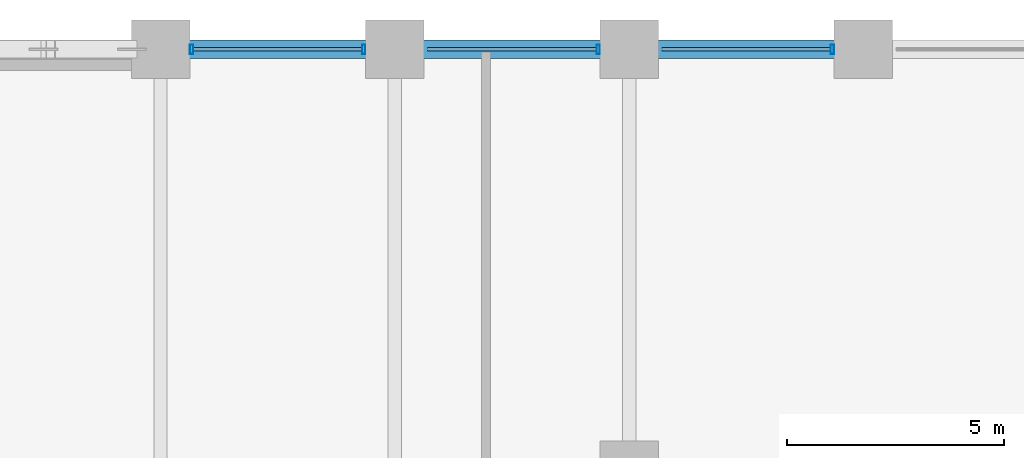
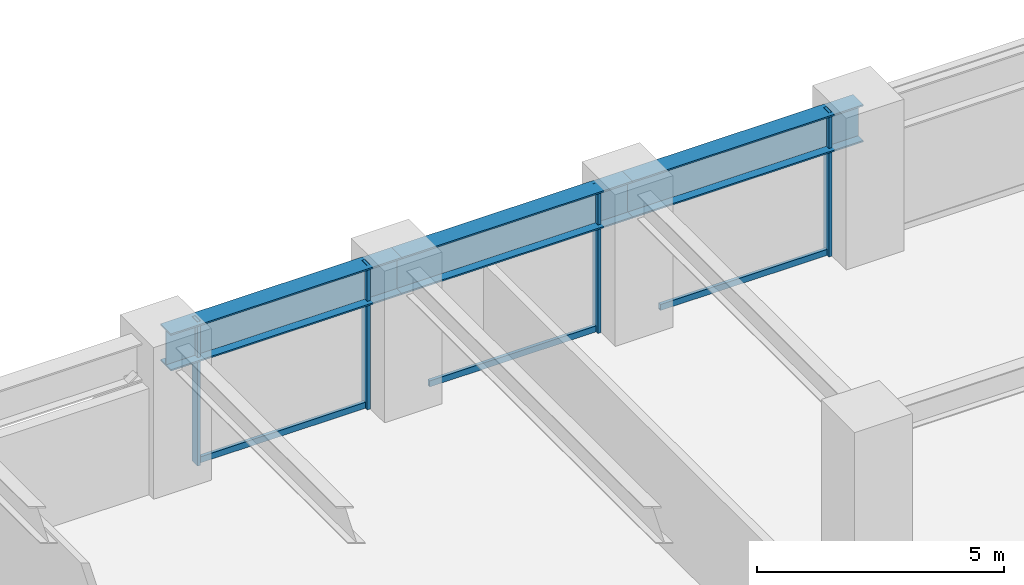
# One storey, part 15 of 25: 7 members, 3 beams, 1 element without a shape of its own.
"""IFC4 building model written with IfcOpenShell, lengths in metres."""

import ifcopenshell
import ifcopenshell.guid

model = None  # the IFC model being written
_history = None  # IfcOwnerHistory: only IFC2X3 demands one
_inside = {}  # id of a spatial element -> (the spatial element, [elements in it])
_under = {}  # id of a project, library or spatial element -> (it, [spatial elements below it])
_declared = {}  # id of a project -> (the project, [libraries it declares])
_typed = {}  # id of a type object -> (the type object, [elements of that type])
_made_of = {}  # id of a material, layer set ... -> (it, [elements and type objects made of it])


def new_model(schema):
    """Start an empty IFC model of exactly this schema.

    Asked for "IFC4X3", IfcOpenShell would pick the latest addendum, in which some entities
    have other attributes; the version numbers below select the first issue.
    IFC2X3 requires an IfcOwnerHistory on every rooted entity: one is made here for all.
    """
    global model, _history
    if schema == "IFC4X3":
        model = ifcopenshell.file(schema_version=(4, 3, 0, 0))
    else:
        model = ifcopenshell.file(schema=schema)
    _inside.clear()
    _under.clear()
    _declared.clear()
    _typed.clear()
    _made_of.clear()
    _history = None
    if model.schema == "IFC2X3":
        org = make("IfcOrganization", Name="unknown")
        user = make(
            "IfcPersonAndOrganization",
            ThePerson=make("IfcPerson", FamilyName="unknown"),
            TheOrganization=org,
        )
        app = make(
            "IfcApplication",
            ApplicationDeveloper=org,
            Version="unknown",
            ApplicationFullName="unknown",
            ApplicationIdentifier="unknown",
        )
        _history = make(
            "IfcOwnerHistory",
            OwningUser=user,
            OwningApplication=app,
            ChangeAction="ADDED",
            CreationDate=0,
        )
    return model


def make(cls, **values):
    """One entity of the class cls with the attributes given. An attribute that is None is left unset."""
    return model.create_entity(
        cls, **{name: value for name, value in values.items() if value is not None}
    )


def rooted(cls, **values):
    """An entity with a GlobalId (a new one), such as an element, a storey or a relation."""
    return make(cls, GlobalId=ifcopenshell.guid.new(), OwnerHistory=_history, **values)


def si_unit(unit_type, name, prefix=None):
    """IfcSIUnit, for example si_unit("LENGTHUNIT", "METRE", prefix="MILLI")."""
    return make("IfcSIUnit", UnitType=unit_type, Prefix=prefix, Name=name)


def assignment(units):
    """IfcUnitAssignment: the units of a project."""
    return None if units is None else make("IfcUnitAssignment", Units=units)


def point(xyz):
    """IfcCartesianPoint."""
    return None if xyz is None else make("IfcCartesianPoint", Coordinates=xyz)


def direction(xyz):
    """IfcDirection."""
    return None if xyz is None else make("IfcDirection", DirectionRatios=xyz)


def frame(location, z_axis=None, x_axis=None):
    """IfcAxis2Placement3D, a coordinate frame: its origin and axes. An axis left out is left unset."""
    return make(
        "IfcAxis2Placement3D",
        Location=point(location),
        Axis=direction(z_axis),
        RefDirection=direction(x_axis),
    )


def frame_2d(location, x_axis=None):
    """IfcAxis2Placement2D, a coordinate frame in the plane: its origin and x axis."""
    return make(
        "IfcAxis2Placement2D", Location=point(location), RefDirection=direction(x_axis)
    )


def origin():
    """The frame at (0, 0, 0) with its axes left unset."""
    return frame((0.0, 0.0, 0.0))


def origin_2d():
    """The frame at (0, 0) in the plane with its x axis left unset."""
    return frame_2d((0.0, 0.0))


def place(relative_to, where):
    """IfcLocalPlacement: puts the frame where relative to a parent placement (None: the world)."""
    return make(
        "IfcLocalPlacement", PlacementRelTo=relative_to, RelativePlacement=where
    )


def context(
    kind, dimensions, precision=None, world=None, true_north=None, identifier=None
):
    """IfcGeometricRepresentationContext, for example the 3D "Model" context."""
    return make(
        "IfcGeometricRepresentationContext",
        ContextIdentifier=identifier,
        ContextType=kind,
        CoordinateSpaceDimension=dimensions,
        Precision=precision,
        WorldCoordinateSystem=world,
        TrueNorth=true_north,
    )


def subcontext(parent, identifier, kind, view, scale=None):
    """IfcGeometricRepresentationSubContext, for example "Body" below "Model"."""
    return make(
        "IfcGeometricRepresentationSubContext",
        ContextIdentifier=identifier,
        ContextType=kind,
        ParentContext=parent,
        TargetScale=scale,
        TargetView=view,
    )


def project(units=None, contexts=None):
    """IfcProject with its units and contexts."""
    return rooted(
        "IfcProject",
        Name="project",
        RepresentationContexts=contexts,
        UnitsInContext=assignment(units),
    )


def spatial(cls, under=None, at=None, **own):
    """A site, building, storey or space (cls), placed at a placement, below another one or the project."""
    s = rooted(cls, ObjectPlacement=at, **own)
    if under is not None:
        _under.setdefault(under.id(), (under, []))[1].append(s)
    return s


def profile(cls, at=None, kind="AREA", **sizes):
    """A parametric profile (cls). Its sizes go by their IFC names, for example OverallWidth=200.0."""
    return make(cls, ProfileType=kind, Position=at, **sizes)


def hollow_rectangle(**sizes):
    """IfcRectangleHollowProfileDef."""
    return profile("IfcRectangleHollowProfileDef", **sizes)


def i_section(**sizes):
    """IfcIShapeProfileDef."""
    return profile("IfcIShapeProfileDef", **sizes)


def extrude(swept, where, along, depth):
    """IfcExtrudedAreaSolid: the profile swept, set in the frame where, extruded along a direction by depth."""
    return make(
        "IfcExtrudedAreaSolid",
        SweptArea=swept,
        Position=where,
        ExtrudedDirection=direction(along),
        Depth=depth,
    )


def shape(context_of_items, identifier, shape_type, items):
    """IfcShapeRepresentation: the items that make up one representation, for example the "Body"."""
    return make(
        "IfcShapeRepresentation",
        ContextOfItems=context_of_items,
        RepresentationIdentifier=identifier,
        RepresentationType=shape_type,
        Items=items,
    )


def material(Name=None, Category=None):
    """IfcMaterial."""
    return make("IfcMaterial", Name=Name, Category=Category)


def layer(
    of_material, thickness, ventilated=None, Name=None, Category=None, Priority=None
):
    """IfcMaterialLayer: one layer of a wall or slab, of a material (None: an air gap)."""
    return make(
        "IfcMaterialLayer",
        Material=of_material,
        LayerThickness=thickness,
        IsVentilated=ventilated,
        Name=Name,
        Category=Category,
        Priority=Priority,
    )


def layer_set(layers, Name=None):
    """IfcMaterialLayerSet."""
    return make("IfcMaterialLayerSet", MaterialLayers=layers, LayerSetName=Name)


def material_profile(
    of_material, cross_section, Name=None, Category=None, Priority=None
):
    """IfcMaterialProfile: a cross section and its material."""
    return make(
        "IfcMaterialProfile",
        Name=Name,
        Material=of_material,
        Profile=cross_section,
        Priority=Priority,
        Category=Category,
    )


def profile_set(profiles, Name=None, composite=None):
    """IfcMaterialProfileSet."""
    return make(
        "IfcMaterialProfileSet",
        Name=Name,
        MaterialProfiles=profiles,
        CompositeProfile=composite,
    )


def made_of(thing, what):
    """Note that an element or type object is made of a material, layer set ...; save() writes the relation."""
    if what is not None:
        _made_of.setdefault(what.id(), (what, []))[1].append(thing)
    return thing


def type_object(cls, material=None, **own):
    """A type object (cls), such as IfcWallType, which elements share."""
    return made_of(rooted(cls, **own), material)


def element(
    cls,
    number,
    at=None,
    inside=None,
    cuts=None,
    type_object=None,
    material=None,
    context=None,
    identifier="Body",
    shape_type=None,
    held_by="IfcProductDefinitionShape",
    body=None,
    shapes=None,
    **own,
):
    """One element of the class cls, such as IfcWall. Its Tag is "e" and its number.

    at: its placement. inside: the storey or other place that contains it. cuts: it is an
    opening in that element (IfcRelVoidsElement). A single representation is given by context,
    identifier, shape_type and body (its items); several are given by shapes. held_by: the class
    of the entity that holds the representations. save() writes the other relations.
    """
    e = rooted(cls, Tag="e%d" % number, ObjectPlacement=at, **own)
    if body is not None:
        shapes = [shape(context, identifier, shape_type, body)]
    if shapes is not None:
        e.Representation = make(held_by, Representations=shapes)
    if inside is not None:
        _inside.setdefault(inside.id(), (inside, []))[1].append(e)
    if cuts is not None:
        rooted(
            "IfcRelVoidsElement", RelatingBuildingElement=cuts, RelatedOpeningElement=e
        )
    if type_object is not None:
        _typed.setdefault(type_object.id(), (type_object, []))[1].append(e)
    return made_of(e, material)


def aggregate(whole, parts):
    """IfcRelAggregates: a whole, such as a stair, and the parts it consists of."""
    return rooted("IfcRelAggregates", RelatingObject=whole, RelatedObjects=parts)


def save(model, path):
    """Write the relations noted so far, then the file.

    IfcRelAggregates (storeys below a building ...), IfcRelContainedInSpatialStructure (elements
    in a storey), IfcRelDefinesByType, IfcRelAssociatesMaterial and IfcRelDeclares: one each for
    every whole, place, type object, material and project.
    """
    for whole, parts in _under.values():
        aggregate(whole, parts)
    for where, things in _inside.values():
        rooted(
            "IfcRelContainedInSpatialStructure",
            RelatedElements=things,
            RelatingStructure=where,
        )
    for kind, things in _typed.values():
        rooted("IfcRelDefinesByType", RelatedObjects=things, RelatingType=kind)
    for what, things in _made_of.values():
        rooted("IfcRelAssociatesMaterial", RelatedObjects=things, RelatingMaterial=what)
    for by, libraries in _declared.values():
        rooted("IfcRelDeclares", RelatingContext=by, RelatedDefinitions=libraries)
    model.write(path)


model = new_model("IFC4")

# Units and contexts
model_context = context("Model", 3, precision=1e-05, world=origin(), true_north=direction((0.0, 1.0)))
body_context = subcontext(model_context, "Body", "Model", "MODEL_VIEW")
ifc_project = project(units=[si_unit("LENGTHUNIT", "METRE"), si_unit("AREAUNIT", "SQUARE_METRE"), si_unit("VOLUMEUNIT", "CUBIC_METRE"), si_unit("PLANEANGLEUNIT", "RADIAN"), si_unit("MASSUNIT", "GRAM", prefix="KILO")], contexts=[model_context])

# Site, building, storey
site_placement = place(None, origin())
site = spatial("IfcSite", under=ifc_project, at=site_placement, CompositionType="ELEMENT")
building_placement = place(site_placement, origin())
building = spatial("IfcBuilding", under=site, at=building_placement, Name="Surkhivell Harbour Commons", CompositionType="ELEMENT")
storey_placement = place(building_placement, frame((0.0, 0.0, 52.5)))
storey = spatial("IfcBuildingStorey", under=building, at=storey_placement, Name="L13", CompositionType="ELEMENT", Elevation=52.5)

# Beams
ifc_material_1 = material(Name="Steel S460", Category="steel")
ifc_material_profile_1 = material_profile(ifc_material_1, i_section(OverallWidth=0.419921875, OverallDepth=0.9208984375, WebThickness=0.021484375, FlangeThickness=0.03662109375, at=origin_2d()), Name="UB914x419x388")
ifc_profile_set_1 = profile_set([ifc_material_profile_1], Name="Steel S460")
beam_type = type_object("IfcBeamType", Name="BM-SPN-914A", PredefinedType="SPANDREL", material=ifc_profile_set_1)
beam_1_placement = place(storey_placement, frame((5.39990234375, 25.89990234375, 3.109619140625), z_axis=(1.0, 0.0, 0.0), x_axis=(0.0, 1.0, 0.0)))
element("IfcBeam", 1, at=beam_1_placement, inside=storey, type_object=beam_type, Name="L13 Tube Spandrel (5.4,25.9)", PredefinedType="SPANDREL", context=body_context, shape_type="SweptSolid", body=[
    extrude(i_section(OverallWidth=0.419921875, OverallDepth=0.9208984375, WebThickness=0.021484375, FlangeThickness=0.03662109375, at=origin_2d()), origin(), (0.0, 0.0, 1.0), 5.400146484375),
])
beam_2_placement = place(storey_placement, frame((10.800048828125, 25.89990234375, 3.109619140625), z_axis=(1.0, 0.0, 0.0), x_axis=(0.0, 1.0, 0.0)))
element("IfcBeam", 2, at=beam_2_placement, inside=storey, type_object=beam_type, Name="L13 Tube Spandrel (10.8,25.9)", PredefinedType="SPANDREL", context=body_context, shape_type="SweptSolid", body=[
    extrude(i_section(OverallWidth=0.419921875, OverallDepth=0.9208984375, WebThickness=0.021484375, FlangeThickness=0.03662109375, at=origin_2d()), origin(), (0.0, 0.0, 1.0), 5.39990234375),
])
beam_3_placement = place(storey_placement, frame((16.199951171875, 25.89990234375, 3.109619140625), z_axis=(1.0, 0.0, 0.0), x_axis=(0.0, 1.0, 0.0)))
element("IfcBeam", 3, at=beam_3_placement, inside=storey, type_object=beam_type, Name="L13 Tube Spandrel (16.2,25.9)", PredefinedType="SPANDREL", context=body_context, shape_type="SweptSolid", body=[
    extrude(i_section(OverallWidth=0.419921875, OverallDepth=0.9208984375, WebThickness=0.021484375, FlangeThickness=0.03662109375, at=origin_2d()), origin(), (0.0, 0.0, 1.0), 5.400146484375),
])

# Curtain wall, members
ifc_material_2 = material(Name="Anodised pale-metal aluminium and insulated glazing", Category="aluminium")
ifc_layer = layer(ifc_material_2, 0.219970703125)
ifc_layer_set = layer_set([ifc_layer], Name="Anodised pale-metal aluminium and insulated glazing")
curtain_wall_type = type_object("IfcCurtainWallType", Name="CW-SYS-Z1", PredefinedType="NOTDEFINED", material=ifc_layer_set)
curtain_wall_placement = place(storey_placement, origin())
curtain_wall = element("IfcCurtainWall", 4, at=curtain_wall_placement, inside=storey, type_object=curtain_wall_type, Name="L13 Curtain Wall CW-L13-E07S1", PredefinedType="NOTDEFINED")
ifc_material_3 = material(Name="Anodised pale-metal aluminium alloy 6063-T6", Category="aluminium")
ifc_material_profile_2 = material_profile(ifc_material_3, hollow_rectangle(XDim=0.074951171875, YDim=0.219970703125, WallThickness=0.00390625, at=origin_2d()), Name="ALU-MULL-75x220")
ifc_profile_set_2 = profile_set([ifc_material_profile_2], Name="Anodised pale-metal aluminium alloy 6063-T6")
member_type_1 = type_object("IfcMemberType", Name="CWM-220", PredefinedType="MULLION", material=ifc_profile_set_2)
member_1_placement = place(storey_placement, frame((20.885498046875, 25.89990234375, 0.0), z_axis=(0.0, 0.0, 1.0), x_axis=(-1.0, 0.0, 0.0)))
member_1 = element("IfcMember", 5, at=member_1_placement, type_object=member_type_1, Name="CW-Z1 mullion 2", PredefinedType="MULLION", context=body_context, shape_type="SweptSolid", body=[
    extrude(hollow_rectangle(XDim=0.074951171875, YDim=0.219970703125, WallThickness=0.00390625, at=origin_2d()), origin(), (0.0, 0.0, 1.0), 3.570068359375),
])
member_2_placement = place(storey_placement, frame((15.485595703125, 25.89990234375, 0.0), z_axis=(0.0, 0.0, 1.0), x_axis=(-1.0, 0.0, 0.0)))
member_2 = element("IfcMember", 6, at=member_2_placement, type_object=member_type_1, Name="CW-Z1 mullion 3", PredefinedType="MULLION", context=body_context, shape_type="SweptSolid", body=[
    extrude(hollow_rectangle(XDim=0.074951171875, YDim=0.219970703125, WallThickness=0.00390625, at=origin_2d()), origin(), (0.0, 0.0, 1.0), 3.570068359375),
])
member_3_placement = place(storey_placement, frame((10.08544921875, 25.89990234375, 0.0), z_axis=(0.0, 0.0, 1.0), x_axis=(-1.0, 0.0, 0.0)))
member_3 = element("IfcMember", 7, at=member_3_placement, type_object=member_type_1, Name="CW-Z1 mullion 4", PredefinedType="MULLION", context=body_context, shape_type="SweptSolid", body=[
    extrude(hollow_rectangle(XDim=0.074951171875, YDim=0.219970703125, WallThickness=0.00390625, at=origin_2d()), origin(), (0.0, 0.0, 1.0), 3.570068359375),
])
member_4_placement = place(storey_placement, frame((6.114501953125, 25.89990234375, 0.0), z_axis=(0.0, 0.0, 1.0), x_axis=(-1.0, 0.0, 0.0)))
member_4 = element("IfcMember", 8, at=member_4_placement, type_object=member_type_1, Name="CW-Z1 mullion 5", PredefinedType="MULLION", context=body_context, shape_type="SweptSolid", body=[
    extrude(hollow_rectangle(XDim=0.074951171875, YDim=0.219970703125, WallThickness=0.00390625, at=origin_2d()), origin(), (0.0, 0.0, 1.0), 3.570068359375),
])
ifc_material_profile_3 = material_profile(ifc_material_3, hollow_rectangle(XDim=0.074951171875, YDim=0.14990234375, WallThickness=0.00341796875, at=origin_2d()), Name="ALU-TRAN-75x150")
ifc_profile_set_3 = profile_set([ifc_material_profile_3], Name="Anodised pale-metal aluminium alloy 6063-T6")
member_type_2 = type_object("IfcMemberType", Name="CWT-150", PredefinedType="USERDEFINED", material=ifc_profile_set_3)
member_5_placement = place(storey_placement, frame((20.847900390625, 25.89990234375, 0.074951171875), z_axis=(-1.0, 0.0, 0.0), x_axis=(0.0, -1.0, 0.0)))
member_5 = element("IfcMember", 9, at=member_5_placement, type_object=member_type_2, Name="CW-Z1 transom 2.1", ObjectType="TRANSOM", PredefinedType="USERDEFINED", context=body_context, shape_type="SweptSolid", body=[
    extrude(hollow_rectangle(XDim=0.074951171875, YDim=0.14990234375, WallThickness=0.00341796875, at=origin_2d()), origin(), (0.0, 0.0, 1.0), 3.89599609375),
])
member_6_placement = place(storey_placement, frame((15.447998046875, 25.89990234375, 0.074951171875), z_axis=(-1.0, 0.0, 0.0), x_axis=(0.0, -1.0, 0.0)))
member_6 = element("IfcMember", 10, at=member_6_placement, type_object=member_type_2, Name="CW-Z1 transom 3.1", ObjectType="TRANSOM", PredefinedType="USERDEFINED", context=body_context, shape_type="SweptSolid", body=[
    extrude(hollow_rectangle(XDim=0.074951171875, YDim=0.14990234375, WallThickness=0.00341796875, at=origin_2d()), origin(), (0.0, 0.0, 1.0), 3.89599609375),
])
member_7_placement = place(storey_placement, frame((10.048095703125, 25.89990234375, 0.074951171875), z_axis=(-1.0, 0.0, 0.0), x_axis=(0.0, -1.0, 0.0)))
member_7 = element("IfcMember", 11, at=member_7_placement, type_object=member_type_2, Name="CW-Z1 transom 4.1", ObjectType="TRANSOM", PredefinedType="USERDEFINED", context=body_context, shape_type="SweptSolid", body=[
    extrude(hollow_rectangle(XDim=0.074951171875, YDim=0.14990234375, WallThickness=0.00341796875, at=origin_2d()), origin(), (0.0, 0.0, 1.0), 3.89599609375),
])
aggregate(curtain_wall, [member_1, member_5, member_2, member_6, member_3, member_4, member_7])

save(model, "model.ifc")
